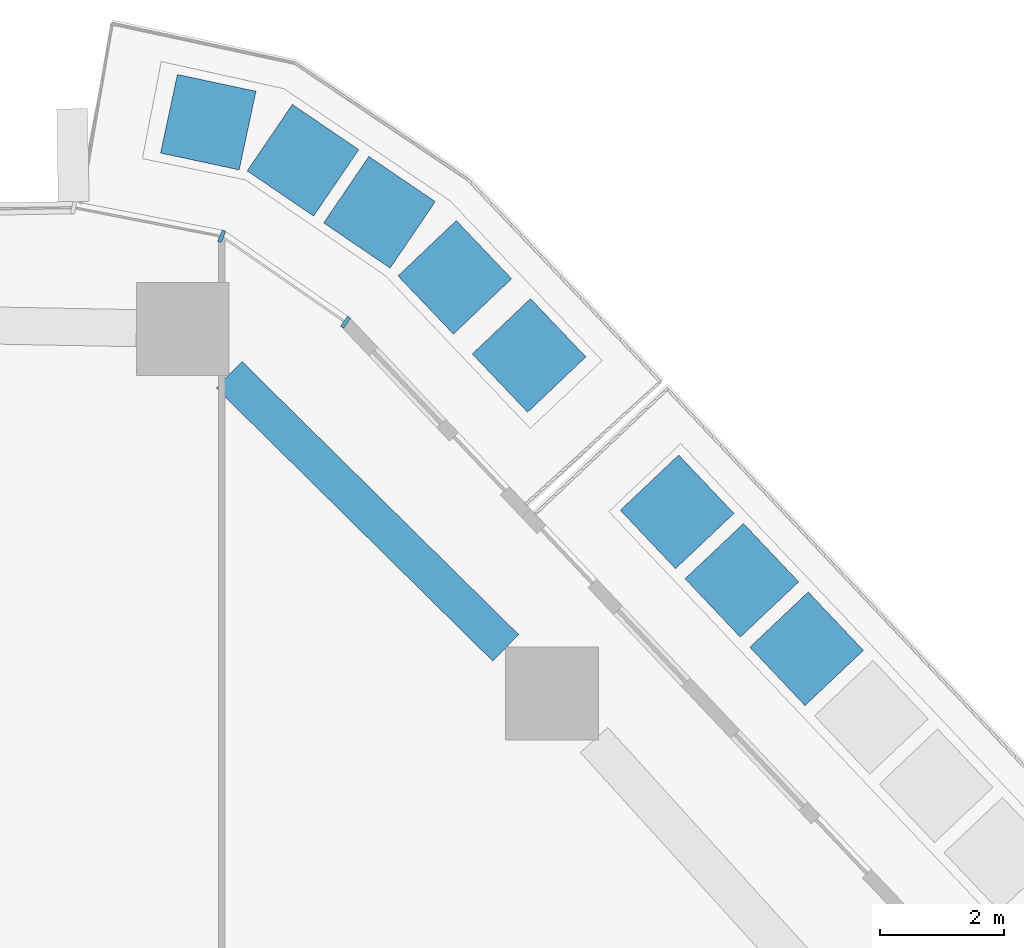
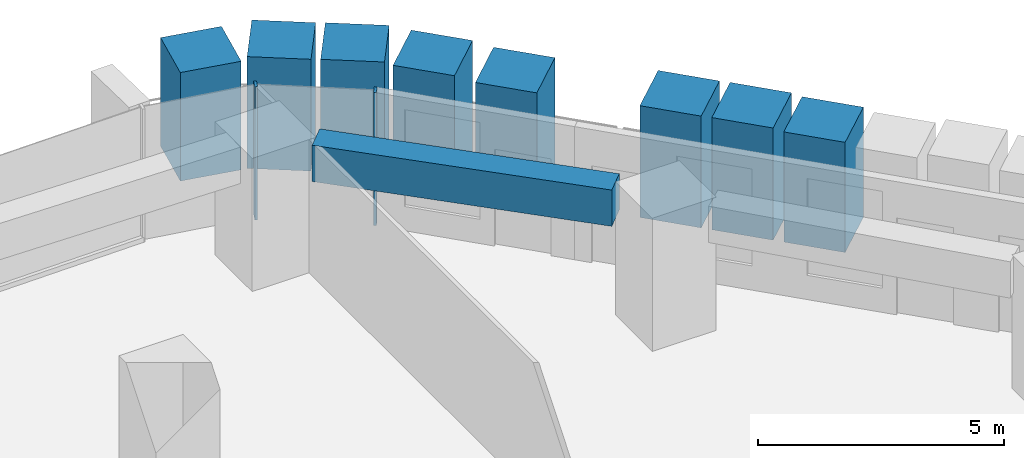
# One storey, part 10 of 25: 10 members, 1 beam, 1 element without a shape of its own.
"""IFC4 building model written with IfcOpenShell, lengths in metres."""

from ifc_helpers import new_model, si_unit, direction, frame, origin, origin_2d, place, context, subcontext, project, spatial, rectangle, extrude, material, layer, layer_set, material_profile, profile_set, type_object, element, aggregate, save


model = new_model("IFC4")

# Units and contexts
model_context = context("Model", 3, precision=1e-05, world=origin(), true_north=direction((0.0, 1.0)))
body_context = subcontext(model_context, "Body", "Model", "MODEL_VIEW")
ifc_project = project(units=[si_unit("LENGTHUNIT", "METRE"), si_unit("AREAUNIT", "SQUARE_METRE"), si_unit("VOLUMEUNIT", "CUBIC_METRE"), si_unit("PLANEANGLEUNIT", "RADIAN"), si_unit("MASSUNIT", "GRAM", prefix="KILO")], contexts=[model_context])

# Site, building, storey
site_placement = place(None, origin())
site = spatial("IfcSite", under=ifc_project, at=site_placement, CompositionType="ELEMENT")
building_placement = place(site_placement, origin())
building = spatial("IfcBuilding", under=site, at=building_placement, Name="Dongbaek Canopy Tower", CompositionType="ELEMENT")
storey_placement = place(building_placement, frame((0.0, 0.0, 77.300048828125)))
storey = spatial("IfcBuildingStorey", under=building, at=storey_placement, Name="L15", CompositionType="ELEMENT", Elevation=77.300048828125)

# Curtain wall, members
ifc_material_1 = material(Name="Aluminium 6063-T6 pale anodised", Category="aluminium")
ifc_layer = layer(ifc_material_1, 0.199951171875)
ifc_layer_set = layer_set([ifc_layer], Name="CW-1 unitised tower curtain wall")
curtain_wall_type = type_object("IfcCurtainWallType", Name="CW-1 unitised tower curtain wall", PredefinedType="NOTDEFINED", material=ifc_layer_set)
curtain_wall_placement = place(storey_placement, origin())
curtain_wall = element("IfcCurtainWall", 1, at=curtain_wall_placement, inside=storey, type_object=curtain_wall_type, Name="CW-1 curtain wall K1.1", PredefinedType="NOTDEFINED")
ifc_material_2 = material(Name="Aluminium 6063-T6 pale anodised", Category="aluminium")
ifc_material_profile_1 = material_profile(ifc_material_2, rectangle(XDim=0.199951171875, YDim=0.06005859375, at=origin_2d()), Name="CW-1 mullion 60 x 200")
ifc_profile_set_1 = profile_set([ifc_material_profile_1], Name="Aluminium 6063-T6 pale anodised")
member_type_1 = type_object("IfcMemberType", Name="CW-1 mullion 60 x 200", PredefinedType="MULLION", material=ifc_profile_set_1)
member_1_placement = place(storey_placement, frame((17.465087890625, 33.30419921875, 0.0), z_axis=(0.0, 0.0, 1.0), x_axis=(0.56969426372, 0.821856706418, 0.0)))
member_1 = element("IfcMember", 2, at=member_1_placement, type_object=member_type_1, Name="CW-1 mullion K1.1.1", PredefinedType="MULLION", context=body_context, shape_type="SweptSolid", body=[
    extrude(rectangle(XDim=0.199951171875, YDim=0.06005859375, at=origin_2d()), origin(), (0.0, 0.0, 1.0), 3.300048828125),
])
member_2_placement = place(storey_placement, frame((15.4609375, 34.693359375, 0.0), z_axis=(0.0, 0.0, 1.0), x_axis=(0.388341217386, 0.921515653084, 0.0)))
member_2 = element("IfcMember", 3, at=member_2_placement, type_object=member_type_1, Name="CW-1 mullion K1.1.2", PredefinedType="MULLION", context=body_context, shape_type="SweptSolid", body=[
    extrude(rectangle(XDim=0.199951171875, YDim=0.06005859375, at=origin_2d()), origin(), (0.0, 0.0, 1.0), 3.300048828125),
])
aggregate(curtain_wall, [member_1, member_2])

# Beam
ifc_material_3 = material(Name="Concrete C80", Category="concrete")
ifc_material_profile_2 = material_profile(ifc_material_3, rectangle(XDim=0.60009765625, YDim=0.89990234375, at=origin_2d()), Name="RC EDGE BEAM 600x900 C80")
ifc_profile_set_2 = profile_set([ifc_material_profile_2], Name="Concrete C80")
beam_type = type_object("IfcBeamType", Name="RC EDGE BEAM 600x900 C80", PredefinedType="BEAM", material=ifc_profile_set_2)
beam_placement = place(storey_placement, frame((15.580078125, 32.453857421875, 2.849853515625), z_axis=(0.711712436236, -0.702470930435, 0.0), x_axis=(0.702470930435, 0.711712436236, 0.0)))
element("IfcBeam", 4, at=beam_placement, inside=storey, type_object=beam_type, Name="EDGEBEAM:L15:17", PredefinedType="BEAM", context=body_context, shape_type="SweptSolid", body=[
    extrude(rectangle(XDim=0.60009765625, YDim=0.89990234375, at=origin_2d()), origin(), (0.0, 0.0, 1.0), 6.287353515625),
])

# Members
ifc_material_4 = material(Name="Concrete C40/50 planter mass with planting", Category="concrete")
ifc_material_profile_3 = material_profile(ifc_material_4, rectangle(XDim=1.300048828125, YDim=1.300048828125, at=origin_2d()), Name="Terrace PLANTER shrub mass 1300 x 1300")
ifc_profile_set_3 = profile_set([ifc_material_profile_3], Name="Concrete C40/50 planter mass with planting")
member_type_2 = type_object("IfcMemberType", Name="Terrace PLANTER shrub mass 1300 x 1300", PredefinedType="USERDEFINED", material=ifc_profile_set_3)
member_3_placement = place(storey_placement, frame((24.9228515625, 28.021484375, 0.419921875), z_axis=(0.0, 0.0, 1.0), x_axis=(0.72665252709, 0.687005170923, 0.0)))
element("IfcMember", 5, at=member_3_placement, inside=storey, type_object=member_type_2, Name="Planter shrubs L15 1.8", ObjectType="PLANTER", PredefinedType="USERDEFINED", context=body_context, shape_type="SweptSolid", body=[
    extrude(rectangle(XDim=1.300048828125, YDim=1.300048828125, at=origin_2d()), origin(), (0.0, 0.0, 1.0), 2.72998046875),
])
member_4_placement = place(storey_placement, frame((23.87548828125, 29.12939453125, 0.419921875), z_axis=(0.0, 0.0, 1.0), x_axis=(0.72665252709, 0.687005170923, 0.0)))
element("IfcMember", 6, at=member_4_placement, inside=storey, type_object=member_type_2, Name="Planter shrubs L15 1.9", ObjectType="PLANTER", PredefinedType="USERDEFINED", context=body_context, shape_type="SweptSolid", body=[
    extrude(rectangle(XDim=1.300048828125, YDim=1.300048828125, at=origin_2d()), origin(), (0.0, 0.0, 1.0), 2.780029296875),
])
member_5_placement = place(storey_placement, frame((22.828125, 30.237060546875, 0.419921875), z_axis=(0.0, 0.0, 1.0), x_axis=(0.72665252709, 0.687005170923, 0.0)))
element("IfcMember", 7, at=member_5_placement, inside=storey, type_object=member_type_2, Name="Planter shrubs L15 1.10", ObjectType="PLANTER", PredefinedType="USERDEFINED", context=body_context, shape_type="SweptSolid", body=[
    extrude(rectangle(XDim=1.300048828125, YDim=1.300048828125, at=origin_2d()), origin(), (0.0, 0.0, 1.0), 2.77001953125),
])
member_6_placement = place(storey_placement, frame((20.43310546875, 32.76708984375, 0.419921875), z_axis=(0.0, 0.0, 1.0), x_axis=(0.724862672868, 0.688893391957, 0.0)))
element("IfcMember", 8, at=member_6_placement, inside=storey, type_object=member_type_2, Name="Planter shrubs L15 5.1", ObjectType="PLANTER", PredefinedType="USERDEFINED", context=body_context, shape_type="SweptSolid", body=[
    extrude(rectangle(XDim=1.300048828125, YDim=1.300048828125, at=origin_2d()), origin(), (0.0, 0.0, 1.0), 2.650146484375),
])
member_7_placement = place(storey_placement, frame((19.232177734375, 34.030517578125, 0.419921875), z_axis=(0.0, 0.0, 1.0), x_axis=(0.724862672868, 0.688893391957, 0.0)))
element("IfcMember", 9, at=member_7_placement, inside=storey, type_object=member_type_2, Name="Planter shrubs L15 5.2", ObjectType="PLANTER", PredefinedType="USERDEFINED", context=body_context, shape_type="SweptSolid", body=[
    extrude(rectangle(XDim=1.300048828125, YDim=1.300048828125, at=origin_2d()), origin(), (0.0, 0.0, 1.0), 2.72998046875),
])
member_8_placement = place(storey_placement, frame((18.01318359375, 35.0830078125, 0.419921875), z_axis=(0.0, 0.0, 1.0), x_axis=(0.562224934452, 0.826984354798, 0.0)))
element("IfcMember", 10, at=member_8_placement, inside=storey, type_object=member_type_2, Name="Planter shrubs L15 5.3", ObjectType="PLANTER", PredefinedType="USERDEFINED", context=body_context, shape_type="SweptSolid", body=[
    extrude(rectangle(XDim=1.300048828125, YDim=1.300048828125, at=origin_2d()), origin(), (0.0, 0.0, 1.0), 2.780029296875),
])
member_9_placement = place(storey_placement, frame((16.775634765625, 35.92431640625, 0.419921875), z_axis=(0.0, 0.0, 1.0), x_axis=(0.562224934452, 0.826984354798, 0.0)))
element("IfcMember", 11, at=member_9_placement, inside=storey, type_object=member_type_2, Name="Planter shrubs L15 5.4", ObjectType="PLANTER", PredefinedType="USERDEFINED", context=body_context, shape_type="SweptSolid", body=[
    extrude(rectangle(XDim=1.300048828125, YDim=1.300048828125, at=origin_2d()), origin(), (0.0, 0.0, 1.0), 2.77001953125),
])
member_10_placement = place(storey_placement, frame((15.24365234375, 36.54052734375, 0.419921875), z_axis=(0.0, 0.0, 1.0), x_axis=(0.209338951626, 0.977843138408, 0.0)))
element("IfcMember", 12, at=member_10_placement, inside=storey, type_object=member_type_2, Name="Planter shrubs L15 5.5", ObjectType="PLANTER", PredefinedType="USERDEFINED", context=body_context, shape_type="SweptSolid", body=[
    extrude(rectangle(XDim=1.300048828125, YDim=1.300048828125, at=origin_2d()), origin(), (0.0, 0.0, 1.0), 2.68994140625),
])

save(model, "model.ifc")
